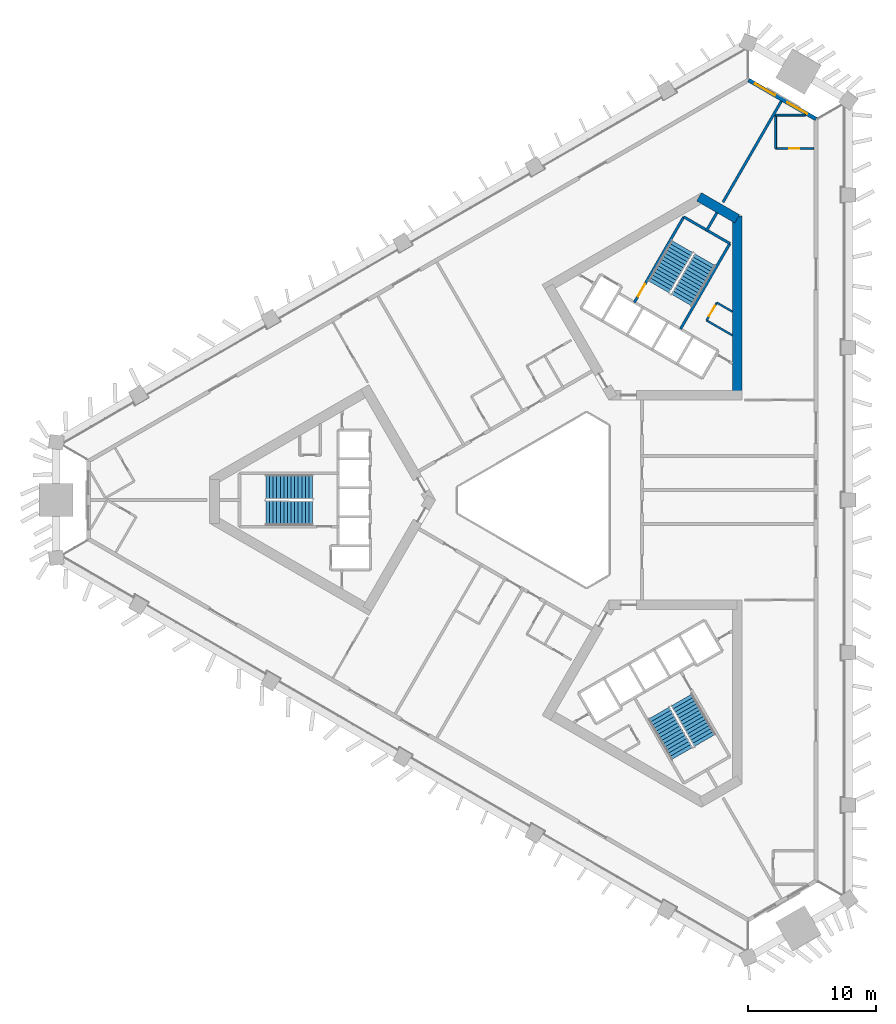
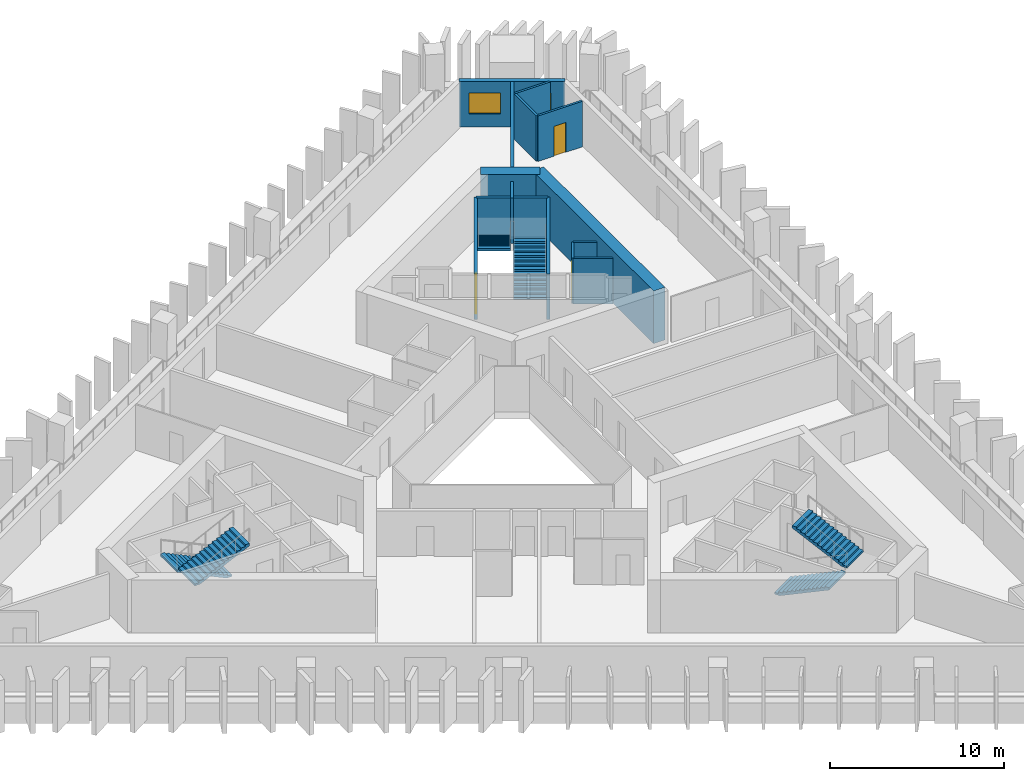
# One storey, part 6 of 10: 14 walls, 6 stair flights, 3 doors, 2 windows, 5 openings, 3 elements without a shape of their own.
"""IFC4 building model written with IfcOpenShell, lengths in metres."""

import ifcopenshell
import ifcopenshell.guid

model = None  # the IFC model being written
_history = None  # IfcOwnerHistory: only IFC2X3 demands one
_inside = {}  # id of a spatial element -> (the spatial element, [elements in it])
_under = {}  # id of a project, library or spatial element -> (it, [spatial elements below it])
_declared = {}  # id of a project -> (the project, [libraries it declares])
_typed = {}  # id of a type object -> (the type object, [elements of that type])
_made_of = {}  # id of a material, layer set ... -> (it, [elements and type objects made of it])


def new_model(schema):
    """Start an empty IFC model of exactly this schema.

    Asked for "IFC4X3", IfcOpenShell would pick the latest addendum, in which some entities
    have other attributes; the version numbers below select the first issue.
    IFC2X3 requires an IfcOwnerHistory on every rooted entity: one is made here for all.
    """
    global model, _history
    if schema == "IFC4X3":
        model = ifcopenshell.file(schema_version=(4, 3, 0, 0))
    else:
        model = ifcopenshell.file(schema=schema)
    _inside.clear()
    _under.clear()
    _declared.clear()
    _typed.clear()
    _made_of.clear()
    _history = None
    if model.schema == "IFC2X3":
        org = make("IfcOrganization", Name="unknown")
        user = make(
            "IfcPersonAndOrganization",
            ThePerson=make("IfcPerson", FamilyName="unknown"),
            TheOrganization=org,
        )
        app = make(
            "IfcApplication",
            ApplicationDeveloper=org,
            Version="unknown",
            ApplicationFullName="unknown",
            ApplicationIdentifier="unknown",
        )
        _history = make(
            "IfcOwnerHistory",
            OwningUser=user,
            OwningApplication=app,
            ChangeAction="ADDED",
            CreationDate=0,
        )
    return model


def make(cls, **values):
    """One entity of the class cls with the attributes given. An attribute that is None is left unset."""
    return model.create_entity(
        cls, **{name: value for name, value in values.items() if value is not None}
    )


def rooted(cls, **values):
    """An entity with a GlobalId (a new one), such as an element, a storey or a relation."""
    return make(cls, GlobalId=ifcopenshell.guid.new(), OwnerHistory=_history, **values)


def si_unit(unit_type, name, prefix=None):
    """IfcSIUnit, for example si_unit("LENGTHUNIT", "METRE", prefix="MILLI")."""
    return make("IfcSIUnit", UnitType=unit_type, Prefix=prefix, Name=name)


def assignment(units):
    """IfcUnitAssignment: the units of a project."""
    return None if units is None else make("IfcUnitAssignment", Units=units)


def point(xyz):
    """IfcCartesianPoint."""
    return None if xyz is None else make("IfcCartesianPoint", Coordinates=xyz)


def direction(xyz):
    """IfcDirection."""
    return None if xyz is None else make("IfcDirection", DirectionRatios=xyz)


def frame(location, z_axis=None, x_axis=None):
    """IfcAxis2Placement3D, a coordinate frame: its origin and axes. An axis left out is left unset."""
    return make(
        "IfcAxis2Placement3D",
        Location=point(location),
        Axis=direction(z_axis),
        RefDirection=direction(x_axis),
    )


def frame_2d(location, x_axis=None):
    """IfcAxis2Placement2D, a coordinate frame in the plane: its origin and x axis."""
    return make(
        "IfcAxis2Placement2D", Location=point(location), RefDirection=direction(x_axis)
    )


def origin():
    """The frame at (0, 0, 0) with its axes left unset."""
    return frame((0.0, 0.0, 0.0))


def place(relative_to, where):
    """IfcLocalPlacement: puts the frame where relative to a parent placement (None: the world)."""
    return make(
        "IfcLocalPlacement", PlacementRelTo=relative_to, RelativePlacement=where
    )


def context(
    kind, dimensions, precision=None, world=None, true_north=None, identifier=None
):
    """IfcGeometricRepresentationContext, for example the 3D "Model" context."""
    return make(
        "IfcGeometricRepresentationContext",
        ContextIdentifier=identifier,
        ContextType=kind,
        CoordinateSpaceDimension=dimensions,
        Precision=precision,
        WorldCoordinateSystem=world,
        TrueNorth=true_north,
    )


def subcontext(parent, identifier, kind, view, scale=None):
    """IfcGeometricRepresentationSubContext, for example "Body" below "Model"."""
    return make(
        "IfcGeometricRepresentationSubContext",
        ContextIdentifier=identifier,
        ContextType=kind,
        ParentContext=parent,
        TargetScale=scale,
        TargetView=view,
    )


def project(units=None, contexts=None):
    """IfcProject with its units and contexts."""
    return rooted(
        "IfcProject",
        Name="project",
        RepresentationContexts=contexts,
        UnitsInContext=assignment(units),
    )


def spatial(cls, under=None, at=None, **own):
    """A site, building, storey or space (cls), placed at a placement, below another one or the project."""
    s = rooted(cls, ObjectPlacement=at, **own)
    if under is not None:
        _under.setdefault(under.id(), (under, []))[1].append(s)
    return s


def polyline(points):
    """IfcPolyline through the points."""
    return make("IfcPolyline", Points=[point(p) for p in points])


def profile(cls, at=None, kind="AREA", **sizes):
    """A parametric profile (cls). Its sizes go by their IFC names, for example OverallWidth=200.0."""
    return make(cls, ProfileType=kind, Position=at, **sizes)


def rectangle(**sizes):
    """IfcRectangleProfileDef."""
    return profile("IfcRectangleProfileDef", **sizes)


def outline(outer, holes=None, kind="AREA"):
    """IfcArbitraryClosedProfileDef: a profile drawn as a closed curve; with holes, ...WithVoids."""
    if holes is None:
        return make("IfcArbitraryClosedProfileDef", ProfileType=kind, OuterCurve=outer)
    return make(
        "IfcArbitraryProfileDefWithVoids",
        ProfileType=kind,
        OuterCurve=outer,
        InnerCurves=holes,
    )


def extrude(swept, where, along, depth):
    """IfcExtrudedAreaSolid: the profile swept, set in the frame where, extruded along a direction by depth."""
    return make(
        "IfcExtrudedAreaSolid",
        SweptArea=swept,
        Position=where,
        ExtrudedDirection=direction(along),
        Depth=depth,
    )


def shape(context_of_items, identifier, shape_type, items):
    """IfcShapeRepresentation: the items that make up one representation, for example the "Body"."""
    return make(
        "IfcShapeRepresentation",
        ContextOfItems=context_of_items,
        RepresentationIdentifier=identifier,
        RepresentationType=shape_type,
        Items=items,
    )


def material(Name=None, Category=None):
    """IfcMaterial."""
    return make("IfcMaterial", Name=Name, Category=Category)


def layer(
    of_material, thickness, ventilated=None, Name=None, Category=None, Priority=None
):
    """IfcMaterialLayer: one layer of a wall or slab, of a material (None: an air gap)."""
    return make(
        "IfcMaterialLayer",
        Material=of_material,
        LayerThickness=thickness,
        IsVentilated=ventilated,
        Name=Name,
        Category=Category,
        Priority=Priority,
    )


def layer_set(layers, Name=None):
    """IfcMaterialLayerSet."""
    return make("IfcMaterialLayerSet", MaterialLayers=layers, LayerSetName=Name)


def made_of(thing, what):
    """Note that an element or type object is made of a material, layer set ...; save() writes the relation."""
    if what is not None:
        _made_of.setdefault(what.id(), (what, []))[1].append(thing)
    return thing


def type_object(cls, material=None, **own):
    """A type object (cls), such as IfcWallType, which elements share."""
    return made_of(rooted(cls, **own), material)


def element(
    cls,
    number,
    at=None,
    inside=None,
    cuts=None,
    type_object=None,
    material=None,
    context=None,
    identifier="Body",
    shape_type=None,
    held_by="IfcProductDefinitionShape",
    body=None,
    shapes=None,
    **own,
):
    """One element of the class cls, such as IfcWall. Its Tag is "e" and its number.

    at: its placement. inside: the storey or other place that contains it. cuts: it is an
    opening in that element (IfcRelVoidsElement). A single representation is given by context,
    identifier, shape_type and body (its items); several are given by shapes. held_by: the class
    of the entity that holds the representations. save() writes the other relations.
    """
    e = rooted(cls, Tag="e%d" % number, ObjectPlacement=at, **own)
    if body is not None:
        shapes = [shape(context, identifier, shape_type, body)]
    if shapes is not None:
        e.Representation = make(held_by, Representations=shapes)
    if inside is not None:
        _inside.setdefault(inside.id(), (inside, []))[1].append(e)
    if cuts is not None:
        rooted(
            "IfcRelVoidsElement", RelatingBuildingElement=cuts, RelatedOpeningElement=e
        )
    if type_object is not None:
        _typed.setdefault(type_object.id(), (type_object, []))[1].append(e)
    return made_of(e, material)


def fill(opening, filler):
    """IfcRelFillsElement: the door or window that sits in an opening."""
    return rooted(
        "IfcRelFillsElement",
        RelatingOpeningElement=opening,
        RelatedBuildingElement=filler,
    )


def aggregate(whole, parts):
    """IfcRelAggregates: a whole, such as a stair, and the parts it consists of."""
    return rooted("IfcRelAggregates", RelatingObject=whole, RelatedObjects=parts)


def save(model, path):
    """Write the relations noted so far, then the file.

    IfcRelAggregates (storeys below a building ...), IfcRelContainedInSpatialStructure (elements
    in a storey), IfcRelDefinesByType, IfcRelAssociatesMaterial and IfcRelDeclares: one each for
    every whole, place, type object, material and project.
    """
    for whole, parts in _under.values():
        aggregate(whole, parts)
    for where, things in _inside.values():
        rooted(
            "IfcRelContainedInSpatialStructure",
            RelatedElements=things,
            RelatingStructure=where,
        )
    for kind, things in _typed.values():
        rooted("IfcRelDefinesByType", RelatedObjects=things, RelatingType=kind)
    for what, things in _made_of.values():
        rooted("IfcRelAssociatesMaterial", RelatedObjects=things, RelatingMaterial=what)
    for by, libraries in _declared.values():
        rooted("IfcRelDeclares", RelatingContext=by, RelatedDefinitions=libraries)
    model.write(path)


model = new_model("IFC4")

# Units and contexts
model_context = context("Model", 3, precision=1e-05, world=origin(), true_north=direction((0.0, 1.0)))
body_context = subcontext(model_context, "Body", "Model", "MODEL_VIEW")
ifc_project = project(units=[si_unit("LENGTHUNIT", "METRE"), si_unit("AREAUNIT", "SQUARE_METRE"), si_unit("VOLUMEUNIT", "CUBIC_METRE"), si_unit("PLANEANGLEUNIT", "RADIAN"), si_unit("MASSUNIT", "GRAM", prefix="KILO")], contexts=[model_context])

# Site, building, storey
site_placement = place(None, origin())
site = spatial("IfcSite", under=ifc_project, at=site_placement, CompositionType="ELEMENT")
building_placement = place(site_placement, origin())
building = spatial("IfcBuilding", under=site, at=building_placement, Name="Jabali Bay Hotel Tower and Convention Centre", CompositionType="ELEMENT")
storey_placement = place(building_placement, frame((0.0, 0.0, 72.10009765625)))
storey = spatial("IfcBuildingStorey", under=building, at=storey_placement, Name="L16", CompositionType="ELEMENT", Elevation=72.10009765625)

# Wall
ifc_material_1 = material(Name="Concrete C40", Category="concrete")
ifc_layer_1 = layer(ifc_material_1, 0.199951171875)
ifc_layer_set_1 = layer_set([ifc_layer_1], Name="Concrete C40")
wall_type_1 = type_object("IfcWallType", Name="Core partition wall 200", PredefinedType="PARTITIONING", material=ifc_layer_set_1)
wall_1_placement = place(storey_placement, frame((87.090087890625, 100.9404296875, 0.0), z_axis=(0.0, 0.0, 1.0), x_axis=(0.499937194881, 0.866061661301, 0.0)))
element("IfcWall", 1, at=wall_1_placement, inside=storey, type_object=wall_type_1, Name="Core wall 1.5 L16", PredefinedType="PARTITIONING", context=body_context, shape_type="SweptSolid", body=[
    extrude(rectangle(XDim=1.673095703125, YDim=0.199951171875, at=frame_2d((0.83642578125, 0.0))), origin(), (0.0, 0.0, 1.0), 3.199951171875),
])

# Wall, opening, door
ifc_material_2 = material(Name="Fire-rated board partition")
ifc_layer_2 = layer(ifc_material_2, 0.14990234375)
ifc_layer_set_2 = layer_set([ifc_layer_2], Name="Fire-rated board partition")
wall_type_2 = type_object("IfcWallType", Name="Core room partition 150", PredefinedType="PARTITIONING", material=ifc_layer_set_2)
wall_2_placement = place(storey_placement, frame((87.12109375, 93.994384765625, 0.0), z_axis=(0.0, 0.0, 1.0), x_axis=(0.500061482766, 0.865989903783, 0.0)))
wall_2 = element("IfcWall", 2, at=wall_2_placement, inside=storey, type_object=wall_type_2, Name="Core wall 1.1 L16", PredefinedType="PARTITIONING", context=body_context, shape_type="SweptSolid", body=[
    extrude(rectangle(XDim=1.599853515625, YDim=0.14990234375, at=frame_2d((0.7998046875, 0.0))), origin(), (0.0, 0.0, 1.0), 3.199951171875),
])
opening_1_placement = place(wall_2_placement, frame((0.387451171875, 0.0, 0.0)))
opening_1 = element("IfcOpeningElement", 3, at=opening_1_placement, cuts=wall_2, Name="Opening D413", PredefinedType="OPENING", context=body_context, shape_type="SweptSolid", body=[
    extrude(rectangle(XDim=0.89990234375, YDim=2.10009765625, at=frame_2d((0.449951171875, 1.050048828125))), frame((0.0, 0.08544921875, 0.0), z_axis=(0.0, -1.0, 0.0), x_axis=(1.0, 0.0, 0.0)), (0.0, 0.0, 1.0), 0.1708984375),
])
ifc_material_3 = material(Name="Fire-rated steel door", Category="steel")
door_type_1 = type_object("IfcDoorType", Name="Core room door 900 x 2100", OperationType="NOTDEFINED", PredefinedType="NOTDEFINED", material=ifc_material_3)
door_1_placement = place(opening_1_placement, origin())
door_1 = element("IfcDoor", 4, at=door_1_placement, inside=storey, type_object=door_type_1, Name="Core room door D413", OperationType="SINGLE_SWING_LEFT", OverallHeight=2.10009765625, OverallWidth=0.89990234375, PredefinedType="NOTDEFINED", context=body_context, shape_type="SweptSolid", body=[
    extrude(rectangle(XDim=0.89990234375, YDim=2.10009765625, at=frame_2d((0.449951171875, 1.050048828125))), frame((0.0, 0.02490234375, 0.0), z_axis=(0.0, -1.0, 0.0), x_axis=(1.0, 0.0, 0.0)), (0.0, 0.0, 1.0), 0.050048828125),
])
fill(opening_1, door_1)

# Walls
wall_3_placement = place(storey_placement, frame((89.130126953125, 92.83447265625, 0.0), z_axis=(0.0, 0.0, 1.0), x_axis=(-0.866026103983, 0.499998787219, 0.0)))
element("IfcWall", 5, at=wall_3_placement, inside=storey, type_object=wall_type_2, Name="Core wall 1.15 L16", PredefinedType="PARTITIONING", context=body_context, shape_type="SweptSolid", body=[
    extrude(rectangle(XDim=2.31982421875, YDim=0.14990234375, at=frame_2d((1.159912109375, 0.0))), origin(), (0.0, 0.0, 1.0), 3.199951171875),
])
wall_4_placement = place(storey_placement, frame((89.1298828125, 94.68212890625, 0.0), z_axis=(0.0, 0.0, 1.0), x_axis=(-0.866060334111, 0.499939494019, 0.0)))
element("IfcWall", 6, at=wall_4_placement, inside=storey, type_object=wall_type_2, Name="Core wall 1.16 L16", PredefinedType="PARTITIONING", context=body_context, shape_type="SweptSolid", body=[
    extrude(rectangle(XDim=1.395751953125, YDim=0.14990234375, at=frame_2d((0.69775390625, 0.0))), origin(), (0.0, 0.0, 1.0), 3.199951171875),
])
ifc_layer_3 = layer(ifc_material_1, 0.199951171875)
ifc_layer_set_3 = layer_set([ifc_layer_3], Name="Concrete C40")
wall_type_3 = type_object("IfcWallType", Name="Core stair wall 200", PredefinedType="SOLIDWALL", material=ifc_layer_set_3)
wall_5_placement = place(storey_placement, frame((85.0869140625, 93.3212890625, 0.0), z_axis=(0.0, 0.0, 1.0), x_axis=(0.500019787375, 0.866013979237, 0.0)))
element("IfcWall", 7, at=wall_5_placement, inside=storey, type_object=wall_type_3, Name="Core wall 1.3 L16", PredefinedType="SOLIDWALL", context=body_context, shape_type="SweptSolid", body=[
    extrude(rectangle(XDim=7.699951171875, YDim=0.199951171875, at=frame_2d((3.85009765625, 0.0))), origin(), (0.0, 0.0, 1.0), 3.199951171875),
])

# Wall, opening, door
wall_6_placement = place(storey_placement, frame((81.492919921875, 95.396240234375, 0.0), z_axis=(0.0, 0.0, 1.0), x_axis=(0.500006057782, 0.866021906294, 0.0)))
wall_6 = element("IfcWall", 8, at=wall_6_placement, inside=storey, type_object=wall_type_3, Name="Core wall 1.7 L16", PredefinedType="SOLIDWALL", context=body_context, shape_type="SweptSolid", body=[
    extrude(rectangle(XDim=7.7001953125, YDim=0.199951171875, at=frame_2d((3.85009765625, 0.0))), origin(), (0.0, 0.0, 1.0), 3.199951171875),
])
opening_2_placement = place(wall_6_placement, frame((0.550048828125, 0.0, 0.0)))
opening_2 = element("IfcOpeningElement", 9, at=opening_2_placement, cuts=wall_6, Name="Opening D412", PredefinedType="OPENING", context=body_context, shape_type="SweptSolid", body=[
    extrude(rectangle(XDim=1.10009765625, YDim=2.10009765625, at=frame_2d((0.550048828125, 1.050048828125))), frame((0.0, 0.1103515625, 0.0), z_axis=(0.0, -1.0, 0.0), x_axis=(1.0, 0.0, 0.0)), (0.0, 0.0, 1.0), 0.220947265625),
])
door_type_2 = type_object("IfcDoorType", Name="Stair fire door 1100 x 2100", OperationType="NOTDEFINED", PredefinedType="NOTDEFINED", material=ifc_material_3)
door_2_placement = place(opening_2_placement, origin())
door_2 = element("IfcDoor", 10, at=door_2_placement, inside=storey, type_object=door_type_2, Name="Stair fire door D412", OperationType="SINGLE_SWING_RIGHT", OverallHeight=2.10009765625, OverallWidth=1.10009765625, PredefinedType="NOTDEFINED", context=body_context, shape_type="SweptSolid", body=[
    extrude(rectangle(XDim=1.10009765625, YDim=2.10009765625, at=frame_2d((0.550048828125, 1.050048828125))), frame((0.0, 0.02490234375, 0.0), z_axis=(0.0, -1.0, 0.0), x_axis=(1.0, 0.0, 0.0)), (0.0, 0.0, 1.0), 0.050048828125),
])
fill(opening_2, door_2)

# Walls
wall_7_placement = place(storey_placement, frame((88.93701171875, 99.989501953125, 0.0), z_axis=(0.0, 0.0, 1.0), x_axis=(-0.866004344652, 0.500036473714, 0.0)))
element("IfcWall", 11, at=wall_7_placement, inside=storey, type_object=wall_type_3, Name="Core wall 1.17 L16", PredefinedType="SOLIDWALL", context=body_context, shape_type="SweptSolid", body=[
    extrude(rectangle(XDim=4.150146484375, YDim=0.199951171875, at=frame_2d((2.0751953125, 0.0))), origin(), (0.0, 0.0, 1.0), 3.199951171875),
])
ifc_material_4 = material(Name="Concrete C60", Category="concrete")
ifc_layer_4 = layer(ifc_material_4, 0.75)
ifc_layer_set_4 = layer_set([ifc_layer_4], Name="Concrete C60")
wall_type_4 = type_object("IfcWallType", Name="Core wall 750", PredefinedType="SHEAR", material=ifc_layer_set_4)
wall_8_placement = place(storey_placement, frame((89.5048828125, 88.169189453125, 0.0), z_axis=(0.0, 0.0, 1.0), x_axis=(0.0, 1.0, 0.0)))
element("IfcWall", 12, at=wall_8_placement, inside=storey, type_object=wall_type_4, Name="Core wall 2.2 L16", PredefinedType="SHEAR", context=body_context, shape_type="SweptSolid", body=[
    extrude(rectangle(XDim=13.95849609375, YDim=0.75, at=frame_2d((6.979248046875, 0.0))), origin(), (0.0, 0.0, 1.0), 3.699951171875),
])
wall_9_placement = place(storey_placement, frame((89.5048828125, 101.9111328125, 0.0), z_axis=(0.0, 0.0, 1.0), x_axis=(-0.866017201164, 0.500014207086, 0.0)))
element("IfcWall", 13, at=wall_9_placement, inside=storey, type_object=wall_type_4, Name="Core wall 2.3 L16", PredefinedType="SHEAR", context=body_context, shape_type="SweptSolid", body=[
    extrude(rectangle(XDim=3.4287109375, YDim=0.75, at=frame_2d((1.71435546875, 0.0))), origin(), (0.0, 0.0, 1.0), 3.699951171875),
])

# Wall, openings, windows
ifc_layer_5 = layer(ifc_material_1, 0.300048828125)
ifc_layer_set_5 = layer_set([ifc_layer_5], Name="Concrete C40")
wall_type_5 = type_object("IfcWallType", Name="External wall 300", PredefinedType="SOLIDWALL", material=ifc_layer_set_5)
wall_10_placement = place(storey_placement, frame((90.3876953125, 112.728759765625, 0.0), z_axis=(0.0, 0.0, 1.0), x_axis=(0.866039061512, -0.499976343375, 0.0)))
wall_10 = element("IfcWall", 14, at=wall_10_placement, inside=storey, type_object=wall_type_5, Name="External wall north-east chamfer L16", PredefinedType="SOLIDWALL", context=body_context, shape_type="SweptSolid", body=[
    extrude(rectangle(XDim=6.076416015625, YDim=0.300048828125, at=frame_2d((3.0380859375, 0.0))), origin(), (0.0, 0.0, 1.0), 3.199951171875),
])
opening_3_placement = place(wall_10_placement, frame((3.484130859375, 0.0, 0.89990234375)))
opening_3 = element("IfcOpeningElement", 15, at=opening_3_placement, cuts=wall_10, Name="Opening W1", PredefinedType="OPENING", context=body_context, shape_type="SweptSolid", body=[
    extrude(rectangle(XDim=1.800048828125, YDim=1.5, at=frame_2d((0.89990234375, 0.75))), frame((0.0, 0.16064453125, 0.0), z_axis=(0.0, -1.0, 0.0), x_axis=(1.0, 0.0, 0.0)), (0.0, 0.0, 1.0), 0.321044921875),
])
opening_4_placement = place(wall_10_placement, frame((0.576416015625, 0.0, 0.89990234375)))
opening_4 = element("IfcOpeningElement", 16, at=opening_4_placement, cuts=wall_10, Name="Opening W1", PredefinedType="OPENING", context=body_context, shape_type="SweptSolid", body=[
    extrude(rectangle(XDim=1.800048828125, YDim=1.5, at=frame_2d((0.89990234375, 0.75))), frame((0.0, 0.16064453125, 0.0), z_axis=(0.0, -1.0, 0.0), x_axis=(1.0, 0.0, 0.0)), (0.0, 0.0, 1.0), 0.321044921875),
])
ifc_material_5 = material(Name="Glass", Category="glass")
window_type = type_object("IfcWindowType", Name="Window 1800 x 1500", PartitioningType="SINGLE_PANEL", PredefinedType="WINDOW", material=ifc_material_5)
window_1_placement = place(opening_3_placement, origin())
window_1 = element("IfcWindow", 17, at=window_1_placement, inside=storey, type_object=window_type, Name="Window 1604", OverallHeight=1.5, OverallWidth=1.800048828125, PartitioningType="SINGLE_PANEL", PredefinedType="WINDOW", context=body_context, shape_type="SweptSolid", body=[
    extrude(rectangle(XDim=1.800048828125, YDim=1.5, at=frame_2d((0.89990234375, 0.75))), frame((0.0, 0.030029296875, 0.0), z_axis=(0.0, -1.0, 0.0), x_axis=(1.0, 0.0, 0.0)), (0.0, 0.0, 1.0), 0.06005859375),
])
fill(opening_3, window_1)
window_2_placement = place(opening_4_placement, origin())
window_2 = element("IfcWindow", 18, at=window_2_placement, inside=storey, type_object=window_type, Name="Window 1605", OverallHeight=1.5, OverallWidth=1.800048828125, PartitioningType="SINGLE_PANEL", PredefinedType="WINDOW", context=body_context, shape_type="SweptSolid", body=[
    extrude(rectangle(XDim=1.800048828125, YDim=1.5, at=frame_2d((0.89990234375, 0.75))), frame((0.0, 0.030029296875, 0.0), z_axis=(0.0, -1.0, 0.0), x_axis=(1.0, 0.0, 0.0)), (0.0, 0.0, 1.0), 0.06005859375),
])
fill(opening_4, window_2)

# Wall, opening, door
ifc_material_6 = material(Name="Plasterboard on steel stud", Category="steel")
ifc_layer_6 = layer(ifc_material_6, 0.14990234375)
ifc_layer_set_6 = layer_set([ifc_layer_6], Name="Plasterboard on steel stud")
wall_type_6 = type_object("IfcWallType", Name="Partition 150 wet", PredefinedType="PARTITIONING", material=ifc_layer_set_6)
wall_11_placement = place(storey_placement, frame((95.4599609375, 107.394287109375, 0.0), z_axis=(0.0, 0.0, 1.0), x_axis=(-1.0, 0.0, 0.0)))
wall_11 = element("IfcWall", 19, at=wall_11_placement, inside=storey, type_object=wall_type_6, Name="Partition P03 L16 010", PredefinedType="PARTITIONING", context=body_context, shape_type="SweptSolid", body=[
    extrude(rectangle(XDim=2.95849609375, YDim=0.14990234375, at=frame_2d((1.479248046875, 0.0))), origin(), (0.0, 0.0, 1.0), 3.199951171875),
])
opening_5_placement = place(wall_11_placement, frame((1.1083984375, 0.0, 0.0)))
opening_5 = element("IfcOpeningElement", 20, at=opening_5_placement, cuts=wall_11, Name="Opening 1608", PredefinedType="OPENING", context=body_context, shape_type="SweptSolid", body=[
    extrude(rectangle(XDim=0.800048828125, YDim=2.10009765625, at=frame_2d((0.39990234375, 1.050048828125))), frame((0.0, 0.08544921875, 0.0), z_axis=(0.0, -1.0, 0.0), x_axis=(1.0, 0.0, 0.0)), (0.0, 0.0, 1.0), 0.1708984375),
])
ifc_material_7 = material(Name="Timber", Category="wood")
door_type_3 = type_object("IfcDoorType", Name="En-suite door 800 x 2100", OperationType="NOTDEFINED", PredefinedType="NOTDEFINED", material=ifc_material_7)
door_3_placement = place(opening_5_placement, origin())
door_3 = element("IfcDoor", 21, at=door_3_placement, inside=storey, type_object=door_type_3, Name="Door 1608", OperationType="SINGLE_SWING_LEFT", OverallHeight=2.10009765625, OverallWidth=0.800048828125, PredefinedType="NOTDEFINED", context=body_context, shape_type="SweptSolid", body=[
    extrude(rectangle(XDim=0.800048828125, YDim=2.10009765625, at=frame_2d((0.39990234375, 1.050048828125))), frame((0.0, 0.02490234375, 0.0), z_axis=(0.0, -1.0, 0.0), x_axis=(1.0, 0.0, 0.0)), (0.0, 0.0, 1.0), 0.050048828125),
])
fill(opening_5, door_3)

# Walls
wall_12_placement = place(storey_placement, frame((92.50146484375, 107.394287109375, 0.0), z_axis=(0.0, 0.0, 1.0), x_axis=(0.0, 1.0, 0.0)))
element("IfcWall", 22, at=wall_12_placement, inside=storey, type_object=wall_type_6, Name="Partition P03 L16 011", PredefinedType="PARTITIONING", context=body_context, shape_type="SweptSolid", body=[
    extrude(rectangle(XDim=2.599853515625, YDim=0.14990234375, at=frame_2d((1.2998046875, 0.0))), origin(), (0.0, 0.0, 1.0), 3.199951171875),
])
wall_13_placement = place(storey_placement, frame((92.50146484375, 109.994140625, 0.0), z_axis=(0.0, 0.0, 1.0), x_axis=(1.0, 0.0, 0.0)))
element("IfcWall", 23, at=wall_13_placement, inside=storey, type_object=wall_type_6, Name="Partition P03 L16 012", PredefinedType="PARTITIONING", context=body_context, shape_type="SweptSolid", body=[
    extrude(rectangle(XDim=2.32470703125, YDim=0.14990234375, at=frame_2d((1.162353515625, 0.0))), origin(), (0.0, 0.0, 1.0), 3.199951171875),
])
ifc_layer_7 = layer(ifc_material_6, 0.199951171875)
ifc_layer_set_7 = layer_set([ifc_layer_7], Name="Plasterboard on steel stud")
wall_type_7 = type_object("IfcWallType", Name="Partition 200 party", PredefinedType="PARTITIONING", material=ifc_layer_set_7)
wall_14_placement = place(storey_placement, frame((92.9453125, 111.080078125, 0.0), z_axis=(0.0, 0.0, 1.0), x_axis=(-0.500005415952, -0.866022276861, 0.0)))
element("IfcWall", 24, at=wall_14_placement, inside=storey, type_object=wall_type_7, Name="Partition P01 L16 013", PredefinedType="PARTITIONING", context=body_context, shape_type="SweptSolid", body=[
    extrude(rectangle(XDim=9.0869140625, YDim=0.199951171875, at=frame_2d((4.54345703125, 0.0))), origin(), (0.0, 0.0, 1.0), 3.199951171875),
])

# Stair, stair flights
stair_type = type_object("IfcStairType", Name="Exit stair 1900", PredefinedType="HALF_TURN_STAIR", material=ifc_material_1)
stair_1_placement = place(storey_placement, origin())
stair_1 = element("IfcStair", 25, at=stair_1_placement, inside=storey, type_object=stair_type, Name="L16 Exit Stair 1", PredefinedType="HALF_TURN_STAIR")
stair_flight_type = type_object("IfcStairFlightType", Name="Stair flight concrete 150", PredefinedType="STRAIGHT", material=ifc_material_1)
stair_flight_1_placement = place(storey_placement, frame((56.419921875, 81.02490234375, 0.0), z_axis=(0.0, 0.0, 1.0), x_axis=(-1.0, 0.0, 0.0)))
stair_flight_1 = element("IfcStairFlight", 26, at=stair_flight_1_placement, type_object=stair_flight_type, Name="ST1 flight 1", NumberOfRisers=14, NumberOfTreads=13, PredefinedType="STRAIGHT", RiserHeight=0.132142857, TreadLength=0.28, context=body_context, shape_type="SweptSolid", body=[
    extrude(outline(polyline([(0.0, 0.0), (0.0, 0.132080078125), (0.280029296875, 0.132080078125), (0.280029296875, 0.264404296875), (0.56005859375, 0.264404296875), (0.56005859375, 0.396484375), (0.840087890625, 0.396484375), (0.840087890625, 0.528564453125), (1.1201171875, 0.528564453125), (1.1201171875, 0.66064453125), (1.39990234375, 0.66064453125), (1.39990234375, 0.79296875), (1.679931640625, 0.79296875), (1.679931640625, 0.925048828125), (1.9599609375, 0.925048828125), (1.9599609375, 1.05712890625), (2.239990234375, 1.05712890625), (2.239990234375, 1.189208984375), (2.52001953125, 1.189208984375), (2.52001953125, 1.321533203125), (2.800048828125, 1.321533203125), (2.800048828125, 1.45361328125), (3.080078125, 1.45361328125), (3.080078125, 1.585693359375), (3.360107421875, 1.585693359375), (3.360107421875, 1.7177734375), (3.639892578125, 1.7177734375), (3.639892578125, 1.85009765625), (3.639892578125, 1.552001953125), (0.351318359375, 0.0), (0.0, 0.0)])), frame((0.0, 0.949951171875, 0.0), z_axis=(0.0, -1.0, 0.0), x_axis=(1.0, 0.0, 0.0)), (0.0, 0.0, 1.0), 1.89990234375),
])
stair_flight_2_placement = place(storey_placement, frame((52.780029296875, 78.97509765625, 1.849853515625), z_axis=(0.0, 0.0, 1.0), x_axis=(1.0, 0.0, 0.0)))
stair_flight_2 = element("IfcStairFlight", 27, at=stair_flight_2_placement, type_object=stair_flight_type, Name="ST1 flight 2", NumberOfRisers=14, NumberOfTreads=13, PredefinedType="STRAIGHT", RiserHeight=0.132142857, TreadLength=0.28, context=body_context, shape_type="SweptSolid", body=[
    extrude(outline(polyline([(0.0, 0.0), (0.0, 0.132080078125), (0.280029296875, 0.132080078125), (0.280029296875, 0.264404296875), (0.56005859375, 0.264404296875), (0.56005859375, 0.396484375), (0.840087890625, 0.396484375), (0.840087890625, 0.528564453125), (1.1201171875, 0.528564453125), (1.1201171875, 0.66064453125), (1.39990234375, 0.66064453125), (1.39990234375, 0.79296875), (1.679931640625, 0.79296875), (1.679931640625, 0.925048828125), (1.9599609375, 0.925048828125), (1.9599609375, 1.05712890625), (2.239990234375, 1.05712890625), (2.239990234375, 1.189208984375), (2.52001953125, 1.189208984375), (2.52001953125, 1.321533203125), (2.800048828125, 1.321533203125), (2.800048828125, 1.45361328125), (3.080078125, 1.45361328125), (3.080078125, 1.585693359375), (3.360107421875, 1.585693359375), (3.360107421875, 1.7177734375), (3.639892578125, 1.7177734375), (3.639892578125, 1.85009765625), (3.639892578125, 1.552001953125), (0.351318359375, 0.0), (0.0, 0.0)])), frame((0.0, 0.949951171875, 0.0), z_axis=(0.0, -1.0, 0.0), x_axis=(1.0, 0.0, 0.0)), (0.0, 0.0, 1.0), 1.89990234375),
])
aggregate(stair_1, [stair_flight_1, stair_flight_2])

stair_2_placement = place(storey_placement, origin())
stair_2 = element("IfcStair", 28, at=stair_2_placement, inside=storey, type_object=stair_type, Name="L16 Exit Stair 2", PredefinedType="HALF_TURN_STAIR")
stair_flight_3_placement = place(storey_placement, frame((85.177734375, 95.578369140625, 0.0), z_axis=(0.0, 0.0, 1.0), x_axis=(0.5, 0.866025403784, 0.0)))
stair_flight_3 = element("IfcStairFlight", 29, at=stair_flight_3_placement, type_object=stair_flight_type, Name="ST2 flight 1", NumberOfRisers=14, NumberOfTreads=13, PredefinedType="STRAIGHT", RiserHeight=0.132142857, TreadLength=0.28, context=body_context, shape_type="SweptSolid", body=[
    extrude(outline(polyline([(0.0, 0.0), (0.0, 0.132080078125), (0.280029296875, 0.132080078125), (0.280029296875, 0.264404296875), (0.56005859375, 0.264404296875), (0.56005859375, 0.396484375), (0.840087890625, 0.396484375), (0.840087890625, 0.528564453125), (1.1201171875, 0.528564453125), (1.1201171875, 0.66064453125), (1.39990234375, 0.66064453125), (1.39990234375, 0.79296875), (1.679931640625, 0.79296875), (1.679931640625, 0.925048828125), (1.9599609375, 0.925048828125), (1.9599609375, 1.05712890625), (2.239990234375, 1.05712890625), (2.239990234375, 1.189208984375), (2.52001953125, 1.189208984375), (2.52001953125, 1.321533203125), (2.800048828125, 1.321533203125), (2.800048828125, 1.45361328125), (3.080078125, 1.45361328125), (3.080078125, 1.585693359375), (3.360107421875, 1.585693359375), (3.360107421875, 1.7177734375), (3.639892578125, 1.7177734375), (3.639892578125, 1.85009765625), (3.639892578125, 1.552001953125), (0.351318359375, 0.0), (0.0, 0.0)])), frame((0.0, 0.949951171875, 0.0), z_axis=(0.0, -1.0, 0.0), x_axis=(1.0, 0.0, 0.0)), (0.0, 0.0, 1.0), 1.89990234375),
])
stair_flight_4_placement = place(storey_placement, frame((85.222412109375, 99.755615234375, 1.849853515625), z_axis=(0.0, 0.0, 1.0), x_axis=(-0.5, -0.866025403784, 0.0)))
stair_flight_4 = element("IfcStairFlight", 30, at=stair_flight_4_placement, type_object=stair_flight_type, Name="ST2 flight 2", NumberOfRisers=14, NumberOfTreads=13, PredefinedType="STRAIGHT", RiserHeight=0.132142857, TreadLength=0.28, context=body_context, shape_type="SweptSolid", body=[
    extrude(outline(polyline([(0.0, 0.0), (0.0, 0.132080078125), (0.280029296875, 0.132080078125), (0.280029296875, 0.264404296875), (0.56005859375, 0.264404296875), (0.56005859375, 0.396484375), (0.840087890625, 0.396484375), (0.840087890625, 0.528564453125), (1.1201171875, 0.528564453125), (1.1201171875, 0.66064453125), (1.39990234375, 0.66064453125), (1.39990234375, 0.79296875), (1.679931640625, 0.79296875), (1.679931640625, 0.925048828125), (1.9599609375, 0.925048828125), (1.9599609375, 1.05712890625), (2.239990234375, 1.05712890625), (2.239990234375, 1.189208984375), (2.52001953125, 1.189208984375), (2.52001953125, 1.321533203125), (2.800048828125, 1.321533203125), (2.800048828125, 1.45361328125), (3.080078125, 1.45361328125), (3.080078125, 1.585693359375), (3.360107421875, 1.585693359375), (3.360107421875, 1.7177734375), (3.639892578125, 1.7177734375), (3.639892578125, 1.85009765625), (3.639892578125, 1.552001953125), (0.351318359375, 0.0), (0.0, 0.0)])), frame((0.0, 0.949951171875, 0.0), z_axis=(0.0, -1.0, 0.0), x_axis=(1.0, 0.0, 0.0)), (0.0, 0.0, 1.0), 1.89990234375),
])
aggregate(stair_2, [stair_flight_3, stair_flight_4])

stair_3_placement = place(storey_placement, origin())
stair_3 = element("IfcStair", 31, at=stair_3_placement, inside=storey, type_object=stair_type, Name="L16 Exit Stair 3", PredefinedType="HALF_TURN_STAIR")
stair_flight_5_placement = place(storey_placement, frame((83.40234375, 63.396728515625, 0.0), z_axis=(0.0, 0.0, 1.0), x_axis=(0.5, -0.866025403784, 0.0)))
stair_flight_5 = element("IfcStairFlight", 32, at=stair_flight_5_placement, type_object=stair_flight_type, Name="ST3 flight 1", NumberOfRisers=14, NumberOfTreads=13, PredefinedType="STRAIGHT", RiserHeight=0.132142857, TreadLength=0.28, context=body_context, shape_type="SweptSolid", body=[
    extrude(outline(polyline([(0.0, 0.0), (0.0, 0.132080078125), (0.280029296875, 0.132080078125), (0.280029296875, 0.264404296875), (0.56005859375, 0.264404296875), (0.56005859375, 0.396484375), (0.840087890625, 0.396484375), (0.840087890625, 0.528564453125), (1.1201171875, 0.528564453125), (1.1201171875, 0.66064453125), (1.39990234375, 0.66064453125), (1.39990234375, 0.79296875), (1.679931640625, 0.79296875), (1.679931640625, 0.925048828125), (1.9599609375, 0.925048828125), (1.9599609375, 1.05712890625), (2.239990234375, 1.05712890625), (2.239990234375, 1.189208984375), (2.52001953125, 1.189208984375), (2.52001953125, 1.321533203125), (2.800048828125, 1.321533203125), (2.800048828125, 1.45361328125), (3.080078125, 1.45361328125), (3.080078125, 1.585693359375), (3.360107421875, 1.585693359375), (3.360107421875, 1.7177734375), (3.639892578125, 1.7177734375), (3.639892578125, 1.85009765625), (3.639892578125, 1.552001953125), (0.351318359375, 0.0), (0.0, 0.0)])), frame((0.0, 0.949951171875, 0.0), z_axis=(0.0, -1.0, 0.0), x_axis=(1.0, 0.0, 0.0)), (0.0, 0.0, 1.0), 1.89990234375),
])
stair_flight_6_placement = place(storey_placement, frame((86.99755859375, 61.26953125, 1.849853515625), z_axis=(0.0, 0.0, 1.0), x_axis=(-0.5, 0.866025403784, 0.0)))
stair_flight_6 = element("IfcStairFlight", 33, at=stair_flight_6_placement, type_object=stair_flight_type, Name="ST3 flight 2", NumberOfRisers=14, NumberOfTreads=13, PredefinedType="STRAIGHT", RiserHeight=0.132142857, TreadLength=0.28, context=body_context, shape_type="SweptSolid", body=[
    extrude(outline(polyline([(0.0, 0.0), (0.0, 0.132080078125), (0.280029296875, 0.132080078125), (0.280029296875, 0.264404296875), (0.56005859375, 0.264404296875), (0.56005859375, 0.396484375), (0.840087890625, 0.396484375), (0.840087890625, 0.528564453125), (1.1201171875, 0.528564453125), (1.1201171875, 0.66064453125), (1.39990234375, 0.66064453125), (1.39990234375, 0.79296875), (1.679931640625, 0.79296875), (1.679931640625, 0.925048828125), (1.9599609375, 0.925048828125), (1.9599609375, 1.05712890625), (2.239990234375, 1.05712890625), (2.239990234375, 1.189208984375), (2.52001953125, 1.189208984375), (2.52001953125, 1.321533203125), (2.800048828125, 1.321533203125), (2.800048828125, 1.45361328125), (3.080078125, 1.45361328125), (3.080078125, 1.585693359375), (3.360107421875, 1.585693359375), (3.360107421875, 1.7177734375), (3.639892578125, 1.7177734375), (3.639892578125, 1.85009765625), (3.639892578125, 1.552001953125), (0.351318359375, 0.0), (0.0, 0.0)])), frame((0.0, 0.949951171875, 0.0), z_axis=(0.0, -1.0, 0.0), x_axis=(1.0, 0.0, 0.0)), (0.0, 0.0, 1.0), 1.89990234375),
])
aggregate(stair_3, [stair_flight_5, stair_flight_6])

save(model, "model.ifc")
